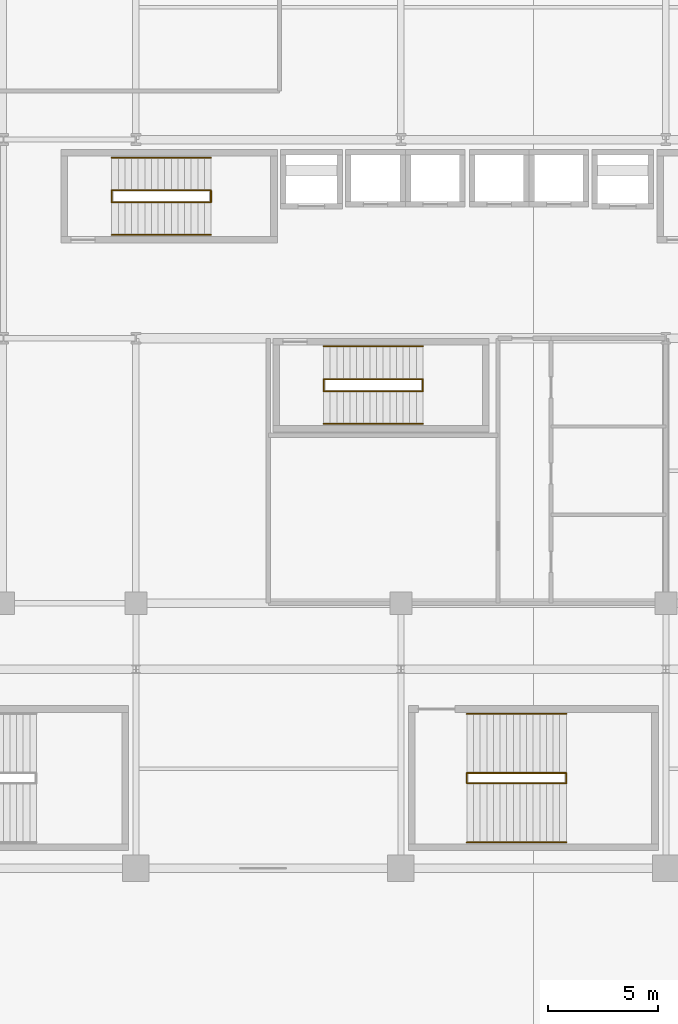
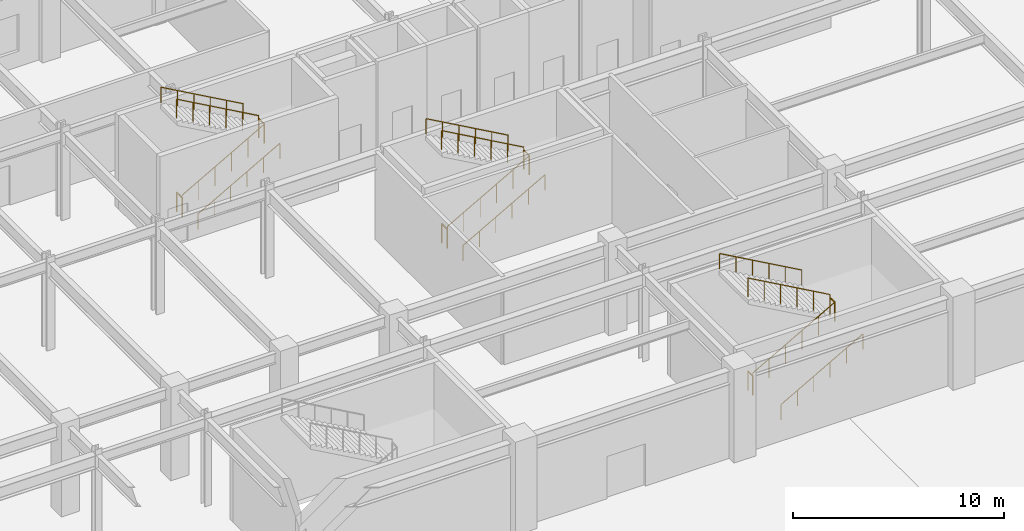
# One storey, part 96 of 100: 18 railings.
"""IFC4 building model written with IfcOpenShell, lengths in metres."""

from ifc_helpers import new_model, si_unit, direction, frame, origin, origin_2d, place, context, subcontext, project, spatial, circle, extrude, material, type_object, element, save


model = new_model("IFC4")

# Units and contexts
model_context = context("Model", 3, precision=1e-05, world=origin(), true_north=direction((0.0, 1.0)))
body_context = subcontext(model_context, "Body", "Model", "MODEL_VIEW")
ifc_project = project(units=[si_unit("LENGTHUNIT", "METRE"), si_unit("AREAUNIT", "SQUARE_METRE"), si_unit("VOLUMEUNIT", "CUBIC_METRE"), si_unit("PLANEANGLEUNIT", "RADIAN"), si_unit("MASSUNIT", "GRAM", prefix="KILO")], contexts=[model_context])

# Site, building, storey
site_placement = place(None, origin())
site = spatial("IfcSite", under=ifc_project, at=site_placement, CompositionType="ELEMENT")
building_placement = place(site_placement, origin())
building = spatial("IfcBuilding", under=site, at=building_placement, Name="Kaldorvane Square Convention Centre", CompositionType="ELEMENT")
storey_placement = place(building_placement, frame((0.0, 0.0, 18.0)))
storey = spatial("IfcBuildingStorey", under=building, at=storey_placement, Name="L03", CompositionType="ELEMENT", Elevation=18.0)

# Railings
ifc_material = material(Name="Architectural Painted Steel", Category="steel")
railing_type_1 = type_object("IfcRailingType", Name="RL-GUARD-1120", PredefinedType="BALUSTRADE", material=ifc_material)
for number, where, name in (
    (1, (40.899993896484375, 102.16999816894531, 0.0), "Tower Exit Stair T1 Floor Well Guard (L03)"),
    (2, (45.399993896484375, 102.16999816894531, 2.6999969482421875), "Tower Exit Stair T1 Half-Landing Guard (L03)"),
):
    element("IfcRailing", number, at=place(storey_placement, frame(where)), inside=storey, type_object=railing_type_1, Name=name, PredefinedType="BALUSTRADE", context=body_context, shape_type="SweptSolid", body=[
        extrude(circle(Radius=0.0240020751953125, at=origin_2d()), frame((0.0, 0.0, 1.0959930419921875), z_axis=(0.0, 1.0, 0.0), x_axis=(-1.0, 0.0, 0.0)), (0.0, 0.0, 1.0), 0.5200042724609375),
        extrude(circle(Radius=0.02099609375, at=origin_2d()), origin(), (0.0, 0.0, 1.0), 1.071990966796875),
        extrude(circle(Radius=0.02099609375, at=origin_2d()), frame((0.0, 0.5200042724609375, 0.0)), (0.0, 0.0, 1.0), 1.071990966796875),
    ])
railing_1_placement = place(storey_placement, frame((40.899993896484375, 102.16000366210938, 0.1687469482421875)))
element("IfcRailing", 3, at=railing_1_placement, inside=storey, type_object=railing_type_1, Name="Tower Exit Stair T1 Flight 1 Guard (L03)", PredefinedType="BALUSTRADE", context=body_context, shape_type="SweptSolid", body=[
    extrude(circle(Radius=0.0240020751953125, at=origin_2d()), frame((0.0, 0.0, 1.0959930419921875), z_axis=(0.871575537125, 0.0, 0.490261239633), x_axis=(0.0, 1.0, 0.0)), (0.0, 0.0, 1.0), 5.1630706787109375),
    extrude(circle(Radius=0.02099609375, at=origin_2d()), origin(), (0.0, 0.0, 1.0), 1.071990966796875),
    extrude(circle(Radius=0.02099609375, at=origin_2d()), frame((0.899993896484375, 0.0, 0.506256103515625)), (0.0, 0.0, 1.0), 1.071990966796875),
    extrude(circle(Radius=0.02099609375, at=origin_2d()), frame((1.8000030517578125, 0.0, 1.0124969482421875)), (0.0, 0.0, 1.0), 1.071990966796875),
    extrude(circle(Radius=0.02099609375, at=origin_2d()), frame((2.6999969482421875, 0.0, 1.5187530517578125)), (0.0, 0.0, 1.0), 1.071990966796875),
    extrude(circle(Radius=0.02099609375, at=origin_2d()), frame((3.600006103515625, 0.0, 2.024993896484375)), (0.0, 0.0, 1.0), 1.071990966796875),
    extrude(circle(Radius=0.02099609375, at=origin_2d()), frame((4.5, 0.0, 2.53125)), (0.0, 0.0, 1.0), 1.071990966796875),
])
railing_2_placement = place(storey_placement, frame((45.399993896484375, 102.69999694824219, 2.868743896484375)))
element("IfcRailing", 4, at=railing_2_placement, inside=storey, type_object=railing_type_1, Name="Tower Exit Stair T1 Flight 2 Guard (L03)", PredefinedType="BALUSTRADE", context=body_context, shape_type="SweptSolid", body=[
    extrude(circle(Radius=0.0240020751953125, at=origin_2d()), frame((0.0, 0.0, 1.0959930419921875), z_axis=(-0.871575537125, 0.0, 0.490261239633), x_axis=(0.0, -1.0, 0.0)), (0.0, 0.0, 1.0), 5.1630706787109375),
    extrude(circle(Radius=0.02099609375, at=origin_2d()), origin(), (0.0, 0.0, 1.0), 1.071990966796875),
    extrude(circle(Radius=0.02099609375, at=origin_2d()), frame((-0.899993896484375, 0.0, 0.506256103515625)), (0.0, 0.0, 1.0), 1.071990966796875),
    extrude(circle(Radius=0.02099609375, at=origin_2d()), frame((-1.8000030517578125, 0.0, 1.0124969482421875)), (0.0, 0.0, 1.0), 1.071990966796875),
    extrude(circle(Radius=0.02099609375, at=origin_2d()), frame((-2.6999969482421875, 0.0, 1.5187530517578125)), (0.0, 0.0, 1.0), 1.071990966796875),
    extrude(circle(Radius=0.02099609375, at=origin_2d()), frame((-3.600006103515625, 0.0, 2.024993896484375)), (0.0, 0.0, 1.0), 1.071990966796875),
    extrude(circle(Radius=0.02099609375, at=origin_2d()), frame((-4.5, 0.0, 2.53125)), (0.0, 0.0, 1.0), 1.071990966796875),
])
for number, where, name in (
    (5, (50.5, 93.6199951171875, 0.0), "Tower Exit Stair T3 Floor Well Guard (L03)"),
    (6, (55.0, 93.6199951171875, 2.6999969482421875), "Tower Exit Stair T3 Half-Landing Guard (L03)"),
):
    element("IfcRailing", number, at=place(storey_placement, frame(where)), inside=storey, type_object=railing_type_1, Name=name, PredefinedType="BALUSTRADE", context=body_context, shape_type="SweptSolid", body=[
        extrude(circle(Radius=0.0240020751953125, at=origin_2d()), frame((0.0, 0.0, 1.0959930419921875), z_axis=(0.0, 1.0, 0.0), x_axis=(-1.0, 0.0, 0.0)), (0.0, 0.0, 1.0), 0.5200042724609375),
        extrude(circle(Radius=0.02099609375, at=origin_2d()), origin(), (0.0, 0.0, 1.0), 1.071990966796875),
        extrude(circle(Radius=0.02099609375, at=origin_2d()), frame((0.0, 0.5200042724609375, 0.0)), (0.0, 0.0, 1.0), 1.071990966796875),
    ])
railing_3_placement = place(storey_placement, frame((50.5, 93.61000061035156, 0.1687469482421875)))
element("IfcRailing", 7, at=railing_3_placement, inside=storey, type_object=railing_type_1, Name="Tower Exit Stair T3 Flight 1 Guard (L03)", PredefinedType="BALUSTRADE", context=body_context, shape_type="SweptSolid", body=[
    extrude(circle(Radius=0.0240020751953125, at=origin_2d()), frame((0.0, 0.0, 1.0959930419921875), z_axis=(0.871575537125, 0.0, 0.490261239633), x_axis=(0.0, 1.0, 0.0)), (0.0, 0.0, 1.0), 5.1630706787109375),
    extrude(circle(Radius=0.02099609375, at=origin_2d()), origin(), (0.0, 0.0, 1.0), 1.071990966796875),
    extrude(circle(Radius=0.02099609375, at=origin_2d()), frame((0.899993896484375, 0.0, 0.506256103515625)), (0.0, 0.0, 1.0), 1.071990966796875),
    extrude(circle(Radius=0.02099609375, at=origin_2d()), frame((1.8000030517578125, 0.0, 1.0124969482421875)), (0.0, 0.0, 1.0), 1.071990966796875),
    extrude(circle(Radius=0.02099609375, at=origin_2d()), frame((2.6999969482421875, 0.0, 1.5187530517578125)), (0.0, 0.0, 1.0), 1.071990966796875),
    extrude(circle(Radius=0.02099609375, at=origin_2d()), frame((3.600006103515625, 0.0, 2.024993896484375)), (0.0, 0.0, 1.0), 1.071990966796875),
    extrude(circle(Radius=0.02099609375, at=origin_2d()), frame((4.5, 0.0, 2.53125)), (0.0, 0.0, 1.0), 1.071990966796875),
])
railing_4_placement = place(storey_placement, frame((55.0, 94.14999389648438, 2.868743896484375)))
element("IfcRailing", 8, at=railing_4_placement, inside=storey, type_object=railing_type_1, Name="Tower Exit Stair T3 Flight 2 Guard (L03)", PredefinedType="BALUSTRADE", context=body_context, shape_type="SweptSolid", body=[
    extrude(circle(Radius=0.0240020751953125, at=origin_2d()), frame((0.0, 0.0, 1.0959930419921875), z_axis=(-0.871575537125, 0.0, 0.490261239633), x_axis=(0.0, -1.0, 0.0)), (0.0, 0.0, 1.0), 5.1630706787109375),
    extrude(circle(Radius=0.02099609375, at=origin_2d()), origin(), (0.0, 0.0, 1.0), 1.071990966796875),
    extrude(circle(Radius=0.02099609375, at=origin_2d()), frame((-0.899993896484375, 0.0, 0.506256103515625)), (0.0, 0.0, 1.0), 1.071990966796875),
    extrude(circle(Radius=0.02099609375, at=origin_2d()), frame((-1.8000030517578125, 0.0, 1.0124969482421875)), (0.0, 0.0, 1.0), 1.071990966796875),
    extrude(circle(Radius=0.02099609375, at=origin_2d()), frame((-2.6999969482421875, 0.0, 1.5187530517578125)), (0.0, 0.0, 1.0), 1.071990966796875),
    extrude(circle(Radius=0.02099609375, at=origin_2d()), frame((-3.600006103515625, 0.0, 2.024993896484375)), (0.0, 0.0, 1.0), 1.071990966796875),
    extrude(circle(Radius=0.02099609375, at=origin_2d()), frame((-4.5, 0.0, 2.53125)), (0.0, 0.0, 1.0), 1.071990966796875),
])
for number, where, name in (
    (9, (56.99000549316406, 75.86000061035156, 0.0), "Convention Exit Stair C14 Floor Well Guard (L03)"),
    (10, (61.49000549316406, 75.86000061035156, 2.6999969482421875), "Convention Exit Stair C14 Half-Landing Guard (L03)"),
):
    element("IfcRailing", number, at=place(storey_placement, frame(where)), inside=storey, type_object=railing_type_1, Name=name, PredefinedType="BALUSTRADE", context=body_context, shape_type="SweptSolid", body=[
        extrude(circle(Radius=0.0240020751953125, at=origin_2d()), frame((0.0, 0.0, 1.0959930419921875), z_axis=(0.0, 1.0, 0.0), x_axis=(-1.0, 0.0, 0.0)), (0.0, 0.0, 1.0), 0.44000244140625),
        extrude(circle(Radius=0.02099609375, at=origin_2d()), origin(), (0.0, 0.0, 1.0), 1.071990966796875),
        extrude(circle(Radius=0.02099609375, at=origin_2d()), frame((0.0, 0.44000244140625, 0.0)), (0.0, 0.0, 1.0), 1.071990966796875),
    ])
railing_5_placement = place(storey_placement, frame((56.99000549316406, 75.85000610351562, 0.1687469482421875)))
element("IfcRailing", 11, at=railing_5_placement, inside=storey, type_object=railing_type_1, Name="Convention Exit Stair C14 Flight 1 Guard (L03)", PredefinedType="BALUSTRADE", context=body_context, shape_type="SweptSolid", body=[
    extrude(circle(Radius=0.0240020751953125, at=origin_2d()), frame((0.0, 0.0, 1.0959930419921875), z_axis=(0.871575537125, 0.0, 0.490261239633), x_axis=(0.0, 1.0, 0.0)), (0.0, 0.0, 1.0), 5.1630706787109375),
    extrude(circle(Radius=0.02099609375, at=origin_2d()), origin(), (0.0, 0.0, 1.0), 1.071990966796875),
    extrude(circle(Radius=0.02099609375, at=origin_2d()), frame((0.899993896484375, 0.0, 0.506256103515625)), (0.0, 0.0, 1.0), 1.071990966796875),
    extrude(circle(Radius=0.02099609375, at=origin_2d()), frame((1.8000030517578125, 0.0, 1.0124969482421875)), (0.0, 0.0, 1.0), 1.071990966796875),
    extrude(circle(Radius=0.02099609375, at=origin_2d()), frame((2.6999969482421875, 0.0, 1.5187530517578125)), (0.0, 0.0, 1.0), 1.071990966796875),
    extrude(circle(Radius=0.02099609375, at=origin_2d()), frame((3.600006103515625, 0.0, 2.024993896484375)), (0.0, 0.0, 1.0), 1.071990966796875),
    extrude(circle(Radius=0.02099609375, at=origin_2d()), frame((4.5, 0.0, 2.53125)), (0.0, 0.0, 1.0), 1.071990966796875),
])
railing_6_placement = place(storey_placement, frame((61.49000549316406, 76.30999755859375, 2.868743896484375)))
element("IfcRailing", 12, at=railing_6_placement, inside=storey, type_object=railing_type_1, Name="Convention Exit Stair C14 Flight 2 Guard (L03)", PredefinedType="BALUSTRADE", context=body_context, shape_type="SweptSolid", body=[
    extrude(circle(Radius=0.0240020751953125, at=origin_2d()), frame((0.0, 0.0, 1.0959930419921875), z_axis=(-0.871575537125, 0.0, 0.490261239633), x_axis=(0.0, -1.0, 0.0)), (0.0, 0.0, 1.0), 5.1630706787109375),
    extrude(circle(Radius=0.02099609375, at=origin_2d()), origin(), (0.0, 0.0, 1.0), 1.071990966796875),
    extrude(circle(Radius=0.02099609375, at=origin_2d()), frame((-0.899993896484375, 0.0, 0.506256103515625)), (0.0, 0.0, 1.0), 1.071990966796875),
    extrude(circle(Radius=0.02099609375, at=origin_2d()), frame((-1.8000030517578125, 0.0, 1.0124969482421875)), (0.0, 0.0, 1.0), 1.071990966796875),
    extrude(circle(Radius=0.02099609375, at=origin_2d()), frame((-2.6999969482421875, 0.0, 1.5187530517578125)), (0.0, 0.0, 1.0), 1.071990966796875),
    extrude(circle(Radius=0.02099609375, at=origin_2d()), frame((-3.600006103515625, 0.0, 2.024993896484375)), (0.0, 0.0, 1.0), 1.071990966796875),
    extrude(circle(Radius=0.02099609375, at=origin_2d()), frame((-4.5, 0.0, 2.53125)), (0.0, 0.0, 1.0), 1.071990966796875),
])
railing_type_2 = type_object("IfcRailingType", Name="RL-HAND-915", PredefinedType="HANDRAIL", material=ifc_material)
railing_7_placement = place(storey_placement, frame((40.899993896484375, 100.67999267578125, 0.1687469482421875)))
element("IfcRailing", 13, at=railing_7_placement, inside=storey, type_object=railing_type_2, Name="Tower Exit Stair T1 Wall Handrail 1 (L03)", PredefinedType="HANDRAIL", context=body_context, shape_type="SweptSolid", body=[
    extrude(circle(Radius=0.0240020751953125, at=origin_2d()), frame((0.0, 0.0, 0.8909912109375), z_axis=(0.871575537125, 0.0, 0.490261239633), x_axis=(0.0, 1.0, 0.0)), (0.0, 0.0, 1.0), 5.1630706787109375),
    extrude(circle(Radius=0.02099609375, at=origin_2d()), origin(), (0.0, 0.0, 1.0), 0.8669891357421875),
    extrude(circle(Radius=0.02099609375, at=origin_2d()), frame((0.899993896484375, 0.0, 0.506256103515625)), (0.0, 0.0, 1.0), 0.8669891357421875),
    extrude(circle(Radius=0.02099609375, at=origin_2d()), frame((1.8000030517578125, 0.0, 1.0124969482421875)), (0.0, 0.0, 1.0), 0.8669891357421875),
    extrude(circle(Radius=0.02099609375, at=origin_2d()), frame((2.6999969482421875, 0.0, 1.5187530517578125)), (0.0, 0.0, 1.0), 0.8669891357421875),
    extrude(circle(Radius=0.02099609375, at=origin_2d()), frame((3.600006103515625, 0.0, 2.024993896484375)), (0.0, 0.0, 1.0), 0.8669891357421875),
    extrude(circle(Radius=0.02099609375, at=origin_2d()), frame((4.5, 0.0, 2.53125)), (0.0, 0.0, 1.0), 0.8669891357421875),
])
railing_8_placement = place(storey_placement, frame((45.399993896484375, 104.17999267578125, 2.868743896484375)))
element("IfcRailing", 14, at=railing_8_placement, inside=storey, type_object=railing_type_2, Name="Tower Exit Stair T1 Wall Handrail 2 (L03)", PredefinedType="HANDRAIL", context=body_context, shape_type="SweptSolid", body=[
    extrude(circle(Radius=0.0240020751953125, at=origin_2d()), frame((0.0, 0.0, 0.8909912109375), z_axis=(-0.871575537125, 0.0, 0.490261239633), x_axis=(0.0, -1.0, 0.0)), (0.0, 0.0, 1.0), 5.1630706787109375),
    extrude(circle(Radius=0.02099609375, at=origin_2d()), origin(), (0.0, 0.0, 1.0), 0.8669891357421875),
    extrude(circle(Radius=0.02099609375, at=origin_2d()), frame((-0.899993896484375, 0.0, 0.506256103515625)), (0.0, 0.0, 1.0), 0.8669891357421875),
    extrude(circle(Radius=0.02099609375, at=origin_2d()), frame((-1.8000030517578125, 0.0, 1.0124969482421875)), (0.0, 0.0, 1.0), 0.8669891357421875),
    extrude(circle(Radius=0.02099609375, at=origin_2d()), frame((-2.6999969482421875, 0.0, 1.5187530517578125)), (0.0, 0.0, 1.0), 0.8669891357421875),
    extrude(circle(Radius=0.02099609375, at=origin_2d()), frame((-3.600006103515625, 0.0, 2.024993896484375)), (0.0, 0.0, 1.0), 0.8669891357421875),
    extrude(circle(Radius=0.02099609375, at=origin_2d()), frame((-4.5, 0.0, 2.53125)), (0.0, 0.0, 1.0), 0.8669891357421875),
])
railing_9_placement = place(storey_placement, frame((50.5, 92.1300048828125, 0.1687469482421875)))
element("IfcRailing", 15, at=railing_9_placement, inside=storey, type_object=railing_type_2, Name="Tower Exit Stair T3 Wall Handrail 1 (L03)", PredefinedType="HANDRAIL", context=body_context, shape_type="SweptSolid", body=[
    extrude(circle(Radius=0.0240020751953125, at=origin_2d()), frame((0.0, 0.0, 0.8909912109375), z_axis=(0.871575537125, 0.0, 0.490261239633), x_axis=(0.0, 1.0, 0.0)), (0.0, 0.0, 1.0), 5.1630706787109375),
    extrude(circle(Radius=0.02099609375, at=origin_2d()), origin(), (0.0, 0.0, 1.0), 0.8669891357421875),
    extrude(circle(Radius=0.02099609375, at=origin_2d()), frame((0.899993896484375, 0.0, 0.506256103515625)), (0.0, 0.0, 1.0), 0.8669891357421875),
    extrude(circle(Radius=0.02099609375, at=origin_2d()), frame((1.8000030517578125, 0.0, 1.0124969482421875)), (0.0, 0.0, 1.0), 0.8669891357421875),
    extrude(circle(Radius=0.02099609375, at=origin_2d()), frame((2.6999969482421875, 0.0, 1.5187530517578125)), (0.0, 0.0, 1.0), 0.8669891357421875),
    extrude(circle(Radius=0.02099609375, at=origin_2d()), frame((3.600006103515625, 0.0, 2.024993896484375)), (0.0, 0.0, 1.0), 0.8669891357421875),
    extrude(circle(Radius=0.02099609375, at=origin_2d()), frame((4.5, 0.0, 2.53125)), (0.0, 0.0, 1.0), 0.8669891357421875),
])
railing_10_placement = place(storey_placement, frame((55.0, 95.6300048828125, 2.868743896484375)))
element("IfcRailing", 16, at=railing_10_placement, inside=storey, type_object=railing_type_2, Name="Tower Exit Stair T3 Wall Handrail 2 (L03)", PredefinedType="HANDRAIL", context=body_context, shape_type="SweptSolid", body=[
    extrude(circle(Radius=0.0240020751953125, at=origin_2d()), frame((0.0, 0.0, 0.8909912109375), z_axis=(-0.871575537125, 0.0, 0.490261239633), x_axis=(0.0, -1.0, 0.0)), (0.0, 0.0, 1.0), 5.1630706787109375),
    extrude(circle(Radius=0.02099609375, at=origin_2d()), origin(), (0.0, 0.0, 1.0), 0.8669891357421875),
    extrude(circle(Radius=0.02099609375, at=origin_2d()), frame((-0.899993896484375, 0.0, 0.506256103515625)), (0.0, 0.0, 1.0), 0.8669891357421875),
    extrude(circle(Radius=0.02099609375, at=origin_2d()), frame((-1.8000030517578125, 0.0, 1.0124969482421875)), (0.0, 0.0, 1.0), 0.8669891357421875),
    extrude(circle(Radius=0.02099609375, at=origin_2d()), frame((-2.6999969482421875, 0.0, 1.5187530517578125)), (0.0, 0.0, 1.0), 0.8669891357421875),
    extrude(circle(Radius=0.02099609375, at=origin_2d()), frame((-3.600006103515625, 0.0, 2.024993896484375)), (0.0, 0.0, 1.0), 0.8669891357421875),
    extrude(circle(Radius=0.02099609375, at=origin_2d()), frame((-4.5, 0.0, 2.53125)), (0.0, 0.0, 1.0), 0.8669891357421875),
])
railing_11_placement = place(storey_placement, frame((56.99000549316406, 73.16999816894531, 0.1687469482421875)))
element("IfcRailing", 17, at=railing_11_placement, inside=storey, type_object=railing_type_2, Name="Convention Exit Stair C14 Wall Handrail 1 (L03)", PredefinedType="HANDRAIL", context=body_context, shape_type="SweptSolid", body=[
    extrude(circle(Radius=0.0240020751953125, at=origin_2d()), frame((0.0, 0.0, 0.8909912109375), z_axis=(0.871575537125, 0.0, 0.490261239633), x_axis=(0.0, 1.0, 0.0)), (0.0, 0.0, 1.0), 5.1630706787109375),
    extrude(circle(Radius=0.02099609375, at=origin_2d()), origin(), (0.0, 0.0, 1.0), 0.8669891357421875),
    extrude(circle(Radius=0.02099609375, at=origin_2d()), frame((0.899993896484375, 0.0, 0.506256103515625)), (0.0, 0.0, 1.0), 0.8669891357421875),
    extrude(circle(Radius=0.02099609375, at=origin_2d()), frame((1.8000030517578125, 0.0, 1.0124969482421875)), (0.0, 0.0, 1.0), 0.8669891357421875),
    extrude(circle(Radius=0.02099609375, at=origin_2d()), frame((2.6999969482421875, 0.0, 1.5187530517578125)), (0.0, 0.0, 1.0), 0.8669891357421875),
    extrude(circle(Radius=0.02099609375, at=origin_2d()), frame((3.600006103515625, 0.0, 2.024993896484375)), (0.0, 0.0, 1.0), 0.8669891357421875),
    extrude(circle(Radius=0.02099609375, at=origin_2d()), frame((4.5, 0.0, 2.53125)), (0.0, 0.0, 1.0), 0.8669891357421875),
])
railing_12_placement = place(storey_placement, frame((61.49000549316406, 78.99000549316406, 2.868743896484375)))
element("IfcRailing", 18, at=railing_12_placement, inside=storey, type_object=railing_type_2, Name="Convention Exit Stair C14 Wall Handrail 2 (L03)", PredefinedType="HANDRAIL", context=body_context, shape_type="SweptSolid", body=[
    extrude(circle(Radius=0.0240020751953125, at=origin_2d()), frame((0.0, 0.0, 0.8909912109375), z_axis=(-0.871575537125, 0.0, 0.490261239633), x_axis=(0.0, -1.0, 0.0)), (0.0, 0.0, 1.0), 5.1630706787109375),
    extrude(circle(Radius=0.02099609375, at=origin_2d()), origin(), (0.0, 0.0, 1.0), 0.8669891357421875),
    extrude(circle(Radius=0.02099609375, at=origin_2d()), frame((-0.899993896484375, 0.0, 0.506256103515625)), (0.0, 0.0, 1.0), 0.8669891357421875),
    extrude(circle(Radius=0.02099609375, at=origin_2d()), frame((-1.8000030517578125, 0.0, 1.0124969482421875)), (0.0, 0.0, 1.0), 0.8669891357421875),
    extrude(circle(Radius=0.02099609375, at=origin_2d()), frame((-2.6999969482421875, 0.0, 1.5187530517578125)), (0.0, 0.0, 1.0), 0.8669891357421875),
    extrude(circle(Radius=0.02099609375, at=origin_2d()), frame((-3.600006103515625, 0.0, 2.024993896484375)), (0.0, 0.0, 1.0), 0.8669891357421875),
    extrude(circle(Radius=0.02099609375, at=origin_2d()), frame((-4.5, 0.0, 2.53125)), (0.0, 0.0, 1.0), 0.8669891357421875),
])

save(model, "model.ifc")
